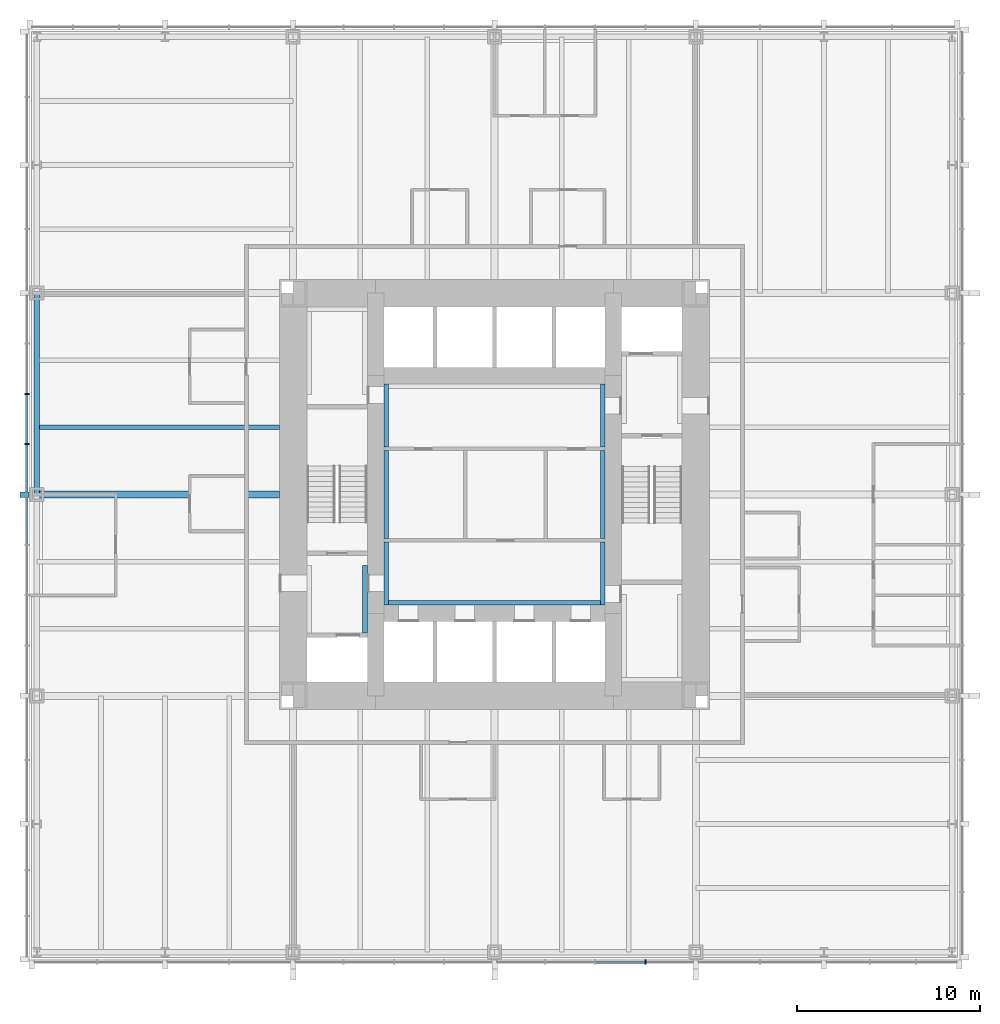
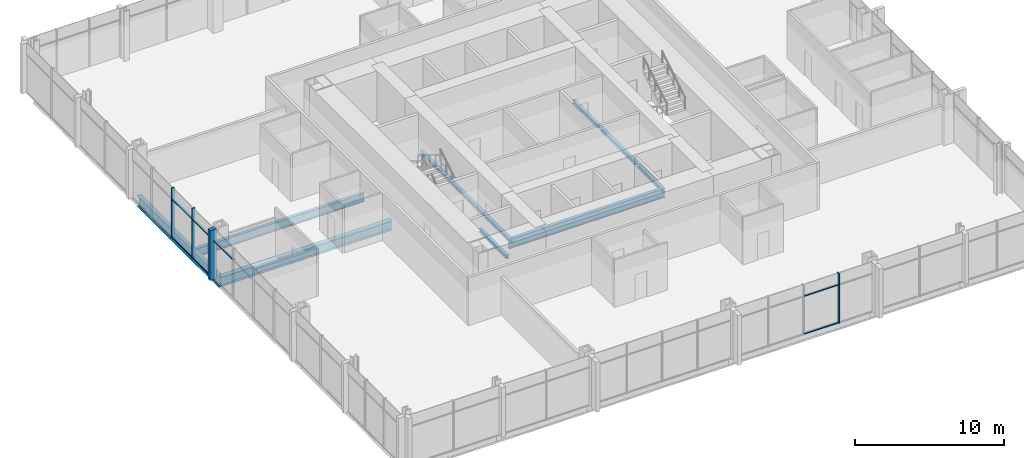
# One storey, part 3 of 12: 11 beams, 11 members, 2 elements without a shape of their own.
"""IFC4 building model written with IfcOpenShell, lengths in metres."""

import ifcopenshell
import ifcopenshell.guid

model = None  # the IFC model being written
_history = None  # IfcOwnerHistory: only IFC2X3 demands one
_inside = {}  # id of a spatial element -> (the spatial element, [elements in it])
_under = {}  # id of a project, library or spatial element -> (it, [spatial elements below it])
_declared = {}  # id of a project -> (the project, [libraries it declares])
_typed = {}  # id of a type object -> (the type object, [elements of that type])
_made_of = {}  # id of a material, layer set ... -> (it, [elements and type objects made of it])


def new_model(schema):
    """Start an empty IFC model of exactly this schema.

    Asked for "IFC4X3", IfcOpenShell would pick the latest addendum, in which some entities
    have other attributes; the version numbers below select the first issue.
    IFC2X3 requires an IfcOwnerHistory on every rooted entity: one is made here for all.
    """
    global model, _history
    if schema == "IFC4X3":
        model = ifcopenshell.file(schema_version=(4, 3, 0, 0))
    else:
        model = ifcopenshell.file(schema=schema)
    _inside.clear()
    _under.clear()
    _declared.clear()
    _typed.clear()
    _made_of.clear()
    _history = None
    if model.schema == "IFC2X3":
        org = make("IfcOrganization", Name="unknown")
        user = make(
            "IfcPersonAndOrganization",
            ThePerson=make("IfcPerson", FamilyName="unknown"),
            TheOrganization=org,
        )
        app = make(
            "IfcApplication",
            ApplicationDeveloper=org,
            Version="unknown",
            ApplicationFullName="unknown",
            ApplicationIdentifier="unknown",
        )
        _history = make(
            "IfcOwnerHistory",
            OwningUser=user,
            OwningApplication=app,
            ChangeAction="ADDED",
            CreationDate=0,
        )
    return model


def make(cls, **values):
    """One entity of the class cls with the attributes given. An attribute that is None is left unset."""
    return model.create_entity(
        cls, **{name: value for name, value in values.items() if value is not None}
    )


def rooted(cls, **values):
    """An entity with a GlobalId (a new one), such as an element, a storey or a relation."""
    return make(cls, GlobalId=ifcopenshell.guid.new(), OwnerHistory=_history, **values)


def si_unit(unit_type, name, prefix=None):
    """IfcSIUnit, for example si_unit("LENGTHUNIT", "METRE", prefix="MILLI")."""
    return make("IfcSIUnit", UnitType=unit_type, Prefix=prefix, Name=name)


def assignment(units):
    """IfcUnitAssignment: the units of a project."""
    return None if units is None else make("IfcUnitAssignment", Units=units)


def point(xyz):
    """IfcCartesianPoint."""
    return None if xyz is None else make("IfcCartesianPoint", Coordinates=xyz)


def direction(xyz):
    """IfcDirection."""
    return None if xyz is None else make("IfcDirection", DirectionRatios=xyz)


def frame(location, z_axis=None, x_axis=None):
    """IfcAxis2Placement3D, a coordinate frame: its origin and axes. An axis left out is left unset."""
    return make(
        "IfcAxis2Placement3D",
        Location=point(location),
        Axis=direction(z_axis),
        RefDirection=direction(x_axis),
    )


def frame_2d(location, x_axis=None):
    """IfcAxis2Placement2D, a coordinate frame in the plane: its origin and x axis."""
    return make(
        "IfcAxis2Placement2D", Location=point(location), RefDirection=direction(x_axis)
    )


def origin():
    """The frame at (0, 0, 0) with its axes left unset."""
    return frame((0.0, 0.0, 0.0))


def origin_2d():
    """The frame at (0, 0) in the plane with its x axis left unset."""
    return frame_2d((0.0, 0.0))


def place(relative_to, where):
    """IfcLocalPlacement: puts the frame where relative to a parent placement (None: the world)."""
    return make(
        "IfcLocalPlacement", PlacementRelTo=relative_to, RelativePlacement=where
    )


def context(
    kind, dimensions, precision=None, world=None, true_north=None, identifier=None
):
    """IfcGeometricRepresentationContext, for example the 3D "Model" context."""
    return make(
        "IfcGeometricRepresentationContext",
        ContextIdentifier=identifier,
        ContextType=kind,
        CoordinateSpaceDimension=dimensions,
        Precision=precision,
        WorldCoordinateSystem=world,
        TrueNorth=true_north,
    )


def subcontext(parent, identifier, kind, view, scale=None):
    """IfcGeometricRepresentationSubContext, for example "Body" below "Model"."""
    return make(
        "IfcGeometricRepresentationSubContext",
        ContextIdentifier=identifier,
        ContextType=kind,
        ParentContext=parent,
        TargetScale=scale,
        TargetView=view,
    )


def project(units=None, contexts=None):
    """IfcProject with its units and contexts."""
    return rooted(
        "IfcProject",
        Name="project",
        RepresentationContexts=contexts,
        UnitsInContext=assignment(units),
    )


def spatial(cls, under=None, at=None, **own):
    """A site, building, storey or space (cls), placed at a placement, below another one or the project."""
    s = rooted(cls, ObjectPlacement=at, **own)
    if under is not None:
        _under.setdefault(under.id(), (under, []))[1].append(s)
    return s


def profile(cls, at=None, kind="AREA", **sizes):
    """A parametric profile (cls). Its sizes go by their IFC names, for example OverallWidth=200.0."""
    return make(cls, ProfileType=kind, Position=at, **sizes)


def rectangle(**sizes):
    """IfcRectangleProfileDef."""
    return profile("IfcRectangleProfileDef", **sizes)


def i_section(**sizes):
    """IfcIShapeProfileDef."""
    return profile("IfcIShapeProfileDef", **sizes)


def extrude(swept, where, along, depth):
    """IfcExtrudedAreaSolid: the profile swept, set in the frame where, extruded along a direction by depth."""
    return make(
        "IfcExtrudedAreaSolid",
        SweptArea=swept,
        Position=where,
        ExtrudedDirection=direction(along),
        Depth=depth,
    )


def shape(context_of_items, identifier, shape_type, items):
    """IfcShapeRepresentation: the items that make up one representation, for example the "Body"."""
    return make(
        "IfcShapeRepresentation",
        ContextOfItems=context_of_items,
        RepresentationIdentifier=identifier,
        RepresentationType=shape_type,
        Items=items,
    )


def material(Name=None, Category=None):
    """IfcMaterial."""
    return make("IfcMaterial", Name=Name, Category=Category)


def material_profile(
    of_material, cross_section, Name=None, Category=None, Priority=None
):
    """IfcMaterialProfile: a cross section and its material."""
    return make(
        "IfcMaterialProfile",
        Name=Name,
        Material=of_material,
        Profile=cross_section,
        Priority=Priority,
        Category=Category,
    )


def profile_set(profiles, Name=None, composite=None):
    """IfcMaterialProfileSet."""
    return make(
        "IfcMaterialProfileSet",
        Name=Name,
        MaterialProfiles=profiles,
        CompositeProfile=composite,
    )


def made_of(thing, what):
    """Note that an element or type object is made of a material, layer set ...; save() writes the relation."""
    if what is not None:
        _made_of.setdefault(what.id(), (what, []))[1].append(thing)
    return thing


def type_object(cls, material=None, **own):
    """A type object (cls), such as IfcWallType, which elements share."""
    return made_of(rooted(cls, **own), material)


def element(
    cls,
    number,
    at=None,
    inside=None,
    cuts=None,
    type_object=None,
    material=None,
    context=None,
    identifier="Body",
    shape_type=None,
    held_by="IfcProductDefinitionShape",
    body=None,
    shapes=None,
    **own,
):
    """One element of the class cls, such as IfcWall. Its Tag is "e" and its number.

    at: its placement. inside: the storey or other place that contains it. cuts: it is an
    opening in that element (IfcRelVoidsElement). A single representation is given by context,
    identifier, shape_type and body (its items); several are given by shapes. held_by: the class
    of the entity that holds the representations. save() writes the other relations.
    """
    e = rooted(cls, Tag="e%d" % number, ObjectPlacement=at, **own)
    if body is not None:
        shapes = [shape(context, identifier, shape_type, body)]
    if shapes is not None:
        e.Representation = make(held_by, Representations=shapes)
    if inside is not None:
        _inside.setdefault(inside.id(), (inside, []))[1].append(e)
    if cuts is not None:
        rooted(
            "IfcRelVoidsElement", RelatingBuildingElement=cuts, RelatedOpeningElement=e
        )
    if type_object is not None:
        _typed.setdefault(type_object.id(), (type_object, []))[1].append(e)
    return made_of(e, material)


def aggregate(whole, parts):
    """IfcRelAggregates: a whole, such as a stair, and the parts it consists of."""
    return rooted("IfcRelAggregates", RelatingObject=whole, RelatedObjects=parts)


def save(model, path):
    """Write the relations noted so far, then the file.

    IfcRelAggregates (storeys below a building ...), IfcRelContainedInSpatialStructure (elements
    in a storey), IfcRelDefinesByType, IfcRelAssociatesMaterial and IfcRelDeclares: one each for
    every whole, place, type object, material and project.
    """
    for whole, parts in _under.values():
        aggregate(whole, parts)
    for where, things in _inside.values():
        rooted(
            "IfcRelContainedInSpatialStructure",
            RelatedElements=things,
            RelatingStructure=where,
        )
    for kind, things in _typed.values():
        rooted("IfcRelDefinesByType", RelatedObjects=things, RelatingType=kind)
    for what, things in _made_of.values():
        rooted("IfcRelAssociatesMaterial", RelatedObjects=things, RelatingMaterial=what)
    for by, libraries in _declared.values():
        rooted("IfcRelDeclares", RelatingContext=by, RelatedDefinitions=libraries)
    model.write(path)


model = new_model("IFC4")

# Units and contexts
model_context = context("Model", 3, precision=1e-05, world=origin(), true_north=direction((0.0, 1.0)))
body_context = subcontext(model_context, "Body", "Model", "MODEL_VIEW")
ifc_project = project(units=[si_unit("LENGTHUNIT", "METRE"), si_unit("AREAUNIT", "SQUARE_METRE"), si_unit("VOLUMEUNIT", "CUBIC_METRE"), si_unit("PLANEANGLEUNIT", "RADIAN"), si_unit("MASSUNIT", "GRAM", prefix="KILO")], contexts=[model_context])

# Site, building, storey
site_placement = place(None, origin())
site = spatial("IfcSite", under=ifc_project, at=site_placement, CompositionType="ELEMENT")
building_placement = place(site_placement, origin())
building = spatial("IfcBuilding", under=site, at=building_placement, Name="Trevanion Tower", CompositionType="ELEMENT")
storey_placement = place(building_placement, frame((0.0, 0.0, 28.300048828125)))
storey = spatial("IfcBuildingStorey", under=building, at=storey_placement, Name="L06", CompositionType="ELEMENT", Elevation=28.300048828125)

# Beam
ifc_material_1 = material(Name="Steel ASTM A992 Grade 50", Category="steel")
ifc_material_profile_1 = material_profile(ifc_material_1, i_section(OverallWidth=0.25390625, OverallDepth=0.700927734375, WebThickness=0.015380859375, FlangeThickness=0.02783203125, at=origin_2d()), Name="W27X129")
ifc_profile_set_1 = profile_set([ifc_material_profile_1], Name="Steel ASTM A992 Grade 50")
beam_type_1 = type_object("IfcBeamType", Name="B3 W27X129", PredefinedType="BEAM", material=ifc_profile_set_1)
beam_1_placement = place(storey_placement, frame((-11.75, 3.666748046875, -0.54052734375), z_axis=(-1.0, 0.0, 0.0), x_axis=(0.0, -1.0, 0.0)))
element("IfcBeam", 1, at=beam_1_placement, inside=storey, type_object=beam_type_1, Name="B3 L06", PredefinedType="BEAM", context=body_context, shape_type="SweptSolid", body=[
    extrude(i_section(OverallWidth=0.25390625, OverallDepth=0.700927734375, WebThickness=0.015380859375, FlangeThickness=0.02783203125, at=origin_2d()), origin(), (0.0, 0.0, 1.0), 13.25),
])

# Curtain wall, members
ifc_material_2 = material(Name="Aluminium and glass", Category="aluminium")
curtain_wall_type = type_object("IfcCurtainWallType", Name="CW1 curtain wall", PredefinedType="USERDEFINED", material=ifc_material_2)
curtain_wall_1_placement = place(storey_placement, origin())
curtain_wall_1 = element("IfcCurtainWall", 2, at=curtain_wall_1_placement, inside=storey, type_object=curtain_wall_type, Name="CW1 L06 2", ObjectType="UNITISED CURTAIN WALL", PredefinedType="USERDEFINED")
ifc_material_3 = material(Name="Aluminium extrusion, anodised bronze", Category="aluminium")
ifc_material_profile_2 = material_profile(ifc_material_3, rectangle(XDim=0.074951171875, YDim=0.25, at=origin_2d()), Name="CW1 mullion")
ifc_profile_set_2 = profile_set([ifc_material_profile_2], Name="Aluminium extrusion, anodised bronze")
member_type_1 = type_object("IfcMemberType", Name="CW1 mullion", PredefinedType="MULLION", material=ifc_profile_set_2)
member_1_placement = place(storey_placement, frame((-25.550048828125, 5.5, -0.18994140625), z_axis=(0.0, 0.0, 1.0), x_axis=(0.0, -1.0, 0.0)))
member_1 = element("IfcMember", 3, at=member_1_placement, type_object=member_type_1, Name="CW1 mullion 7", PredefinedType="MULLION", context=body_context, shape_type="SweptSolid", body=[
    extrude(rectangle(XDim=0.074951171875, YDim=0.25, at=origin_2d()), origin(), (0.0, 0.0, 1.0), 4.099853515625),
])
member_2_placement = place(storey_placement, frame((-25.550048828125, 2.75, -0.18994140625), z_axis=(0.0, 0.0, 1.0), x_axis=(0.0, -1.0, 0.0)))
member_2 = element("IfcMember", 4, at=member_2_placement, type_object=member_type_1, Name="CW1 mullion 8", PredefinedType="MULLION", context=body_context, shape_type="SweptSolid", body=[
    extrude(rectangle(XDim=0.074951171875, YDim=0.25, at=origin_2d()), origin(), (0.0, 0.0, 1.0), 4.099853515625),
])

# Curtain wall, member
curtain_wall_2_placement = place(storey_placement, origin())
curtain_wall_2 = element("IfcCurtainWall", 5, at=curtain_wall_2_placement, inside=storey, type_object=curtain_wall_type, Name="CW1 L06 3", ObjectType="UNITISED CURTAIN WALL", PredefinedType="USERDEFINED")
member_3_placement = place(storey_placement, frame((8.25, -25.550048828125, -0.18994140625), z_axis=(0.0, 0.0, 1.0), x_axis=(1.0, 0.0, 0.0)))
member_3 = element("IfcMember", 6, at=member_3_placement, type_object=member_type_1, Name="CW1 mullion 12", PredefinedType="MULLION", context=body_context, shape_type="SweptSolid", body=[
    extrude(rectangle(XDim=0.074951171875, YDim=0.25, at=origin_2d()), origin(), (0.0, 0.0, 1.0), 4.099853515625),
])

# Member
ifc_material_4 = material(Name="Aluminium extrusion, anodised bronze", Category="aluminium")
ifc_material_profile_3 = material_profile(ifc_material_4, rectangle(XDim=0.300048828125, YDim=0.5, at=origin_2d()), Name="CW1 pier mullion")
ifc_profile_set_3 = profile_set([ifc_material_profile_3], Name="Aluminium extrusion, anodised bronze")
member_type_2 = type_object("IfcMemberType", Name="CW1 pier mullion", PredefinedType="MULLION", material=ifc_profile_set_3)
member_4_placement = place(storey_placement, frame((-25.675048828125, 0.0, -0.18994140625), z_axis=(0.0, 0.0, 1.0), x_axis=(0.0, -1.0, 0.0)))
member_4 = element("IfcMember", 7, at=member_4_placement, type_object=member_type_2, Name="CW1 pier mullion 9", PredefinedType="MULLION", context=body_context, shape_type="SweptSolid", body=[
    extrude(rectangle(XDim=0.300048828125, YDim=0.5, at=origin_2d()), origin(), (0.0, 0.0, 1.0), 4.099853515625),
])

ifc_material_5 = material(Name="Aluminium extrusion, anodised bronze", Category="aluminium")
ifc_material_profile_4 = material_profile(ifc_material_5, rectangle(XDim=0.14990234375, YDim=0.074951171875, at=origin_2d()), Name="CW1 transom")
ifc_profile_set_4 = profile_set([ifc_material_profile_4], Name="Aluminium extrusion, anodised bronze")
member_type_3 = type_object("IfcMemberType", Name="CW1 transom", PredefinedType="USERDEFINED", material=ifc_profile_set_4)
member_5_placement = place(storey_placement, frame((-25.550048828125, 5.46240234375, -0.152587890625), z_axis=(0.0, -1.0, 0.0), x_axis=(1.0, 0.0, 0.0)))
member_5 = element("IfcMember", 8, at=member_5_placement, type_object=member_type_3, Name="CW1 transom 7.1", ObjectType="TRANSOM", PredefinedType="USERDEFINED", context=body_context, shape_type="SweptSolid", body=[
    extrude(rectangle(XDim=0.14990234375, YDim=0.074951171875, at=origin_2d()), origin(), (0.0, 0.0, 1.0), 2.6748046875),
])

member_6_placement = place(storey_placement, frame((-25.550048828125, 5.46240234375, 2.9599609375), z_axis=(0.0, -1.0, 0.0), x_axis=(1.0, 0.0, 0.0)))
member_6 = element("IfcMember", 9, at=member_6_placement, type_object=member_type_3, Name="CW1 transom 7.2", ObjectType="TRANSOM", PredefinedType="USERDEFINED", context=body_context, shape_type="SweptSolid", body=[
    extrude(rectangle(XDim=0.14990234375, YDim=0.074951171875, at=origin_2d()), origin(), (0.0, 0.0, 1.0), 2.6748046875),
])

member_7_placement = place(storey_placement, frame((-25.550048828125, 2.71240234375, -0.152587890625), z_axis=(0.0, -1.0, 0.0), x_axis=(1.0, 0.0, 0.0)))
member_7 = element("IfcMember", 10, at=member_7_placement, type_object=member_type_3, Name="CW1 transom 8.1", ObjectType="TRANSOM", PredefinedType="USERDEFINED", context=body_context, shape_type="SweptSolid", body=[
    extrude(rectangle(XDim=0.14990234375, YDim=0.074951171875, at=origin_2d()), origin(), (0.0, 0.0, 1.0), 2.5625),
])

member_8_placement = place(storey_placement, frame((-25.550048828125, 2.71240234375, 2.9599609375), z_axis=(0.0, -1.0, 0.0), x_axis=(1.0, 0.0, 0.0)))
member_8 = element("IfcMember", 11, at=member_8_placement, type_object=member_type_3, Name="CW1 transom 8.2", ObjectType="TRANSOM", PredefinedType="USERDEFINED", context=body_context, shape_type="SweptSolid", body=[
    extrude(rectangle(XDim=0.14990234375, YDim=0.074951171875, at=origin_2d()), origin(), (0.0, 0.0, 1.0), 2.5625),
])

member_9_placement = place(storey_placement, frame((-25.550048828125, -0.14990234375, 2.9599609375), z_axis=(0.0, -1.0, 0.0), x_axis=(1.0, 0.0, 0.0)))
member_9 = element("IfcMember", 12, at=member_9_placement, type_object=member_type_3, Name="CW1 transom 9.2", ObjectType="TRANSOM", PredefinedType="USERDEFINED", context=body_context, shape_type="SweptSolid", body=[
    extrude(rectangle(XDim=0.14990234375, YDim=0.074951171875, at=origin_2d()), origin(), (0.0, 0.0, 1.0), 2.5625),
])

aggregate(curtain_wall_1, [member_1, member_2, member_4, member_5, member_6, member_7, member_8, member_9])

member_10_placement = place(storey_placement, frame((5.53759765625, -25.550048828125, -0.152587890625), z_axis=(1.0, 0.0, 0.0), x_axis=(0.0, 1.0, 0.0)))
member_10 = element("IfcMember", 13, at=member_10_placement, type_object=member_type_3, Name="CW1 transom 11.1", ObjectType="TRANSOM", PredefinedType="USERDEFINED", context=body_context, shape_type="SweptSolid", body=[
    extrude(rectangle(XDim=0.14990234375, YDim=0.074951171875, at=origin_2d()), origin(), (0.0, 0.0, 1.0), 2.6748046875),
])

member_11_placement = place(storey_placement, frame((5.53759765625, -25.550048828125, 2.9599609375), z_axis=(1.0, 0.0, 0.0), x_axis=(0.0, 1.0, 0.0)))
member_11 = element("IfcMember", 14, at=member_11_placement, type_object=member_type_3, Name="CW1 transom 11.2", ObjectType="TRANSOM", PredefinedType="USERDEFINED", context=body_context, shape_type="SweptSolid", body=[
    extrude(rectangle(XDim=0.14990234375, YDim=0.074951171875, at=origin_2d()), origin(), (0.0, 0.0, 1.0), 2.6748046875),
])

aggregate(curtain_wall_2, [member_3, member_10, member_11])

# Beams
ifc_material_6 = material(Name="Steel ASTM A992 Grade 50", Category="steel")
ifc_material_profile_5 = material_profile(ifc_material_6, i_section(OverallWidth=0.381103515625, OverallDepth=0.77978515625, WebThickness=0.01806640625, FlangeThickness=0.0302734375, at=origin_2d()), Name="W30X191")
ifc_profile_set_5 = profile_set([ifc_material_profile_5], Name="Steel ASTM A992 Grade 50")
beam_type_2 = type_object("IfcBeamType", Name="G2 W30X191", PredefinedType="BEAM", material=ifc_profile_set_5)
beam_2_placement = place(storey_placement, frame((-11.75, 0.0, -0.579833984375), z_axis=(-1.0, 0.0, 0.0), x_axis=(0.0, -1.0, 0.0)))
element("IfcBeam", 15, at=beam_2_placement, inside=storey, type_object=beam_type_2, Name="G2 L06", PredefinedType="BEAM", context=body_context, shape_type="SweptSolid", body=[
    extrude(i_section(OverallWidth=0.381103515625, OverallDepth=0.77978515625, WebThickness=0.01806640625, FlangeThickness=0.0302734375, at=origin_2d()), origin(), (0.0, 0.0, 1.0), 13.25),
])
ifc_material_7 = material(Name="Steel ASTM A992 Grade 50", Category="steel")
ifc_material_profile_6 = material_profile(ifc_material_7, i_section(OverallWidth=0.256591796875, OverallDepth=0.26416015625, WebThickness=0.011962890625, FlangeThickness=0.01953125, at=origin_2d()), Name="W10X68")
ifc_profile_set_6 = profile_set([ifc_material_profile_6], Name="Steel ASTM A992 Grade 50")
beam_type_3 = type_object("IfcBeamType", Name="LB1 W10X68", PredefinedType="BEAM", material=ifc_profile_set_6)
for number, where, z_axis, x_axis, name in (
    (16, (-5.921630859375, 2.60009765625, -0.33203125), (0.0, 1.0, 0.0), (-1.0, 0.0, 0.0), "LB1 L06"),
    (17, (5.921630859375, 2.60009765625, -0.33203125), (0.0, 1.0, 0.0), (-1.0, 0.0, 0.0), "LB1 L06"),
    (18, (-5.921630859375, -6.050048828125, -0.33203125), (0.0, 1.0, 0.0), (-1.0, 0.0, 0.0), "LB1 L06"),
    (19, (5.921630859375, -6.050048828125, -0.33203125), (0.0, 1.0, 0.0), (-1.0, 0.0, 0.0), "LB1 L06"),
):
    element("IfcBeam", number, at=place(storey_placement, frame(where, z_axis=z_axis, x_axis=x_axis)), inside=storey, type_object=beam_type_3, Name=name, PredefinedType="BEAM", context=body_context, shape_type="SweptSolid", body=[
        extrude(i_section(OverallWidth=0.256591796875, OverallDepth=0.26416015625, WebThickness=0.011962890625, FlangeThickness=0.01953125, at=origin_2d()), origin(), (0.0, 0.0, 1.0), 3.449951171875),
    ])
beam_3_placement = place(storey_placement, frame((-7.078369140625, -7.574951171875, -0.33203125), z_axis=(0.0, 1.0, 0.0), x_axis=(-1.0, 0.0, 0.0)))
element("IfcBeam", 20, at=beam_3_placement, inside=storey, type_object=beam_type_3, Name="LB1 L06", PredefinedType="BEAM", context=body_context, shape_type="SweptSolid", body=[
    extrude(i_section(OverallWidth=0.256591796875, OverallDepth=0.26416015625, WebThickness=0.011962890625, FlangeThickness=0.01953125, at=origin_2d()), origin(), (0.0, 0.0, 1.0), 3.699951171875),
])
for number, where, z_axis, x_axis, name in (
    (21, (-5.921630859375, -2.39990234375, -0.33203125), (0.0, 1.0, 0.0), (-1.0, 0.0, 0.0), "LB1 L06"),
    (22, (5.921630859375, -2.39990234375, -0.33203125), (0.0, 1.0, 0.0), (-1.0, 0.0, 0.0), "LB1 L06"),
):
    element("IfcBeam", number, at=place(storey_placement, frame(where, z_axis=z_axis, x_axis=x_axis)), inside=storey, type_object=beam_type_3, Name=name, PredefinedType="BEAM", context=body_context, shape_type="SweptSolid", body=[
        extrude(i_section(OverallWidth=0.256591796875, OverallDepth=0.26416015625, WebThickness=0.011962890625, FlangeThickness=0.01953125, at=origin_2d()), origin(), (0.0, 0.0, 1.0), 4.7998046875),
    ])
ifc_material_8 = material(Name="Steel ASTM A992 Grade 50", Category="steel")
ifc_material_profile_7 = material_profile(ifc_material_8, i_section(OverallWidth=0.2666015625, OverallDepth=0.76953125, WebThickness=0.015625, FlangeThickness=0.025390625, at=origin_2d()), Name="W30X132")
ifc_profile_set_7 = profile_set([ifc_material_profile_7], Name="Steel ASTM A992 Grade 50")
beam_type_4 = type_object("IfcBeamType", Name="LB3 W30X132", PredefinedType="BEAM", material=ifc_profile_set_7)
beam_4_placement = place(storey_placement, frame((-6.050048828125, -5.91650390625, -0.5849609375), z_axis=(1.0, 0.0, 0.0), x_axis=(0.0, 1.0, 0.0)))
element("IfcBeam", 23, at=beam_4_placement, inside=storey, type_object=beam_type_4, Name="LB3 L06", PredefinedType="BEAM", context=body_context, shape_type="SweptSolid", body=[
    extrude(i_section(OverallWidth=0.2666015625, OverallDepth=0.76953125, WebThickness=0.015625, FlangeThickness=0.025390625, at=origin_2d()), origin(), (0.0, 0.0, 1.0), 12.10009765625),
])
ifc_material_9 = material(Name="Steel ASTM A992 Grade 50", Category="steel")
ifc_material_profile_8 = material_profile(ifc_material_9, i_section(OverallWidth=0.307373046875, OverallDepth=0.927001953125, WebThickness=0.01953125, FlangeThickness=0.031982421875, at=origin_2d()), Name="W36X194")
ifc_profile_set_8 = profile_set([ifc_material_profile_8], Name="Steel ASTM A992 Grade 50")
beam_type_5 = type_object("IfcBeamType", Name="SB2 W36X194", PredefinedType="SPANDREL", material=ifc_profile_set_8)
beam_5_placement = place(storey_placement, frame((-25.0, 11.0, -0.653564453125), z_axis=(0.0, -1.0, 0.0), x_axis=(1.0, 0.0, 0.0)))
element("IfcBeam", 24, at=beam_5_placement, inside=storey, type_object=beam_type_5, Name="SB2 L06", PredefinedType="SPANDREL", context=body_context, shape_type="SweptSolid", body=[
    extrude(i_section(OverallWidth=0.307373046875, OverallDepth=0.927001953125, WebThickness=0.01953125, FlangeThickness=0.031982421875, at=origin_2d()), origin(), (0.0, 0.0, 1.0), 11.0),
])

save(model, "model.ifc")
